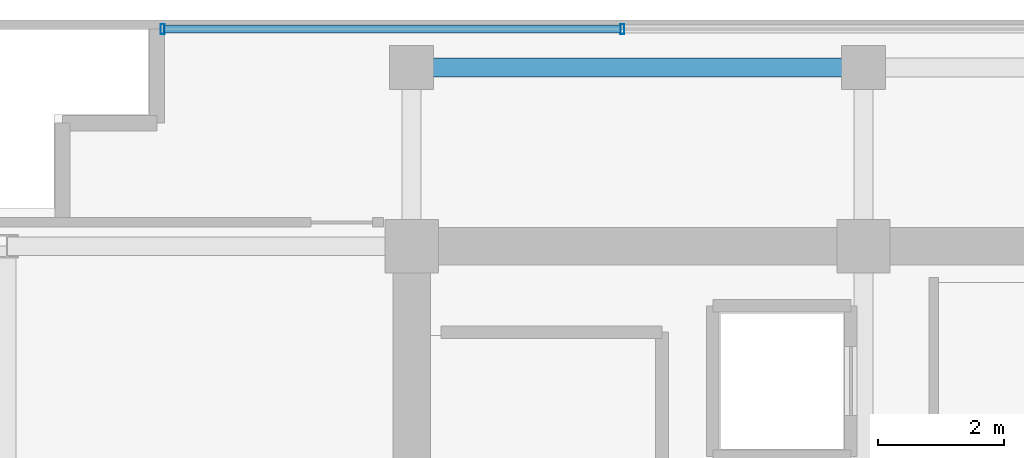
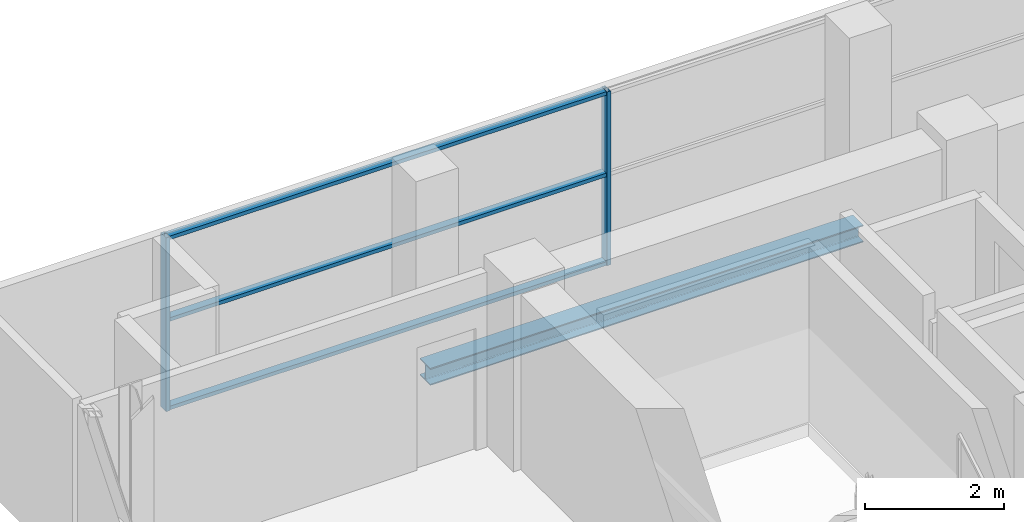
# One storey, part 17 of 29: 5 members, 1 beam, 1 element without a shape of its own.
"""IFC4 building model written with IfcOpenShell, lengths in metres."""

from ifc_helpers import new_model, si_unit, direction, frame, origin, origin_2d, place, context, subcontext, project, spatial, hollow_rectangle, i_section, extrude, source, transform, mapped, material, layer, layer_set, material_profile, profile_set, type_object, element, aggregate, save


model = new_model("IFC4")

# Units and contexts
model_context = context("Model", 3, precision=1e-05, world=origin(), true_north=direction((0.0, 1.0)))
body_context = subcontext(model_context, "Body", "Model", "MODEL_VIEW")
ifc_project = project(units=[si_unit("LENGTHUNIT", "METRE"), si_unit("AREAUNIT", "SQUARE_METRE"), si_unit("VOLUMEUNIT", "CUBIC_METRE"), si_unit("PLANEANGLEUNIT", "RADIAN"), si_unit("MASSUNIT", "GRAM", prefix="KILO")], contexts=[model_context])

# Site, building, storey
site_placement = place(None, origin())
site = spatial("IfcSite", under=ifc_project, at=site_placement, CompositionType="ELEMENT")
building_placement = place(site_placement, origin())
building = spatial("IfcBuilding", under=site, at=building_placement, Name="Zarnakvel Exchange Tower", CompositionType="ELEMENT")
storey_placement = place(building_placement, frame((0.0, 0.0, 265.0)))
storey = spatial("IfcBuildingStorey", under=building, at=storey_placement, Name="L75", CompositionType="ELEMENT", Elevation=265.0)

# Beam
ifc_material_1 = material(Name="Steel S355", Category="steel")
ifc_material_profile_1 = material_profile(ifc_material_1, i_section(OverallWidth=0.300048828125, OverallDepth=0.300048828125, WebThickness=0.010986328125, FlangeThickness=0.01904296875, FilletRadius=0.027099609375, at=origin_2d()))
ifc_profile_set_1 = profile_set([ifc_material_profile_1], Name="Steel S355")
beam_type = type_object("IfcBeamType", Name="SP-03", PredefinedType="SPANDREL", material=ifc_profile_set_1)
beam_placement = place(storey_placement, frame((-14.39990234375, 16.35009765625, -0.375), z_axis=(1.0, 0.0, 0.0), x_axis=(0.0, 1.0, 0.0)))
element("IfcBeam", 1, at=beam_placement, inside=storey, type_object=beam_type, Name="L75 Tower E-W Frame Beam", PredefinedType="SPANDREL", context=body_context, shape_type="SweptSolid", body=[
    extrude(i_section(OverallWidth=0.300048828125, OverallDepth=0.300048828125, WebThickness=0.010986328125, FlangeThickness=0.01904296875, FilletRadius=0.027099609375, at=origin_2d()), origin(), (0.0, 0.0, 1.0), 7.199951171875),
])

# Curtain wall, members
ifc_material_2 = material(Name="Architectural Bronze Anodised Aluminium", Category="aluminium")
ifc_layer = layer(ifc_material_2, 0.159912109375)
ifc_layer_set = layer_set([ifc_layer], Name="Architectural Bronze Anodised Aluminium")
curtain_wall_type = type_object("IfcCurtainWallType", Name="CW-06", PredefinedType="NOTDEFINED", material=ifc_layer_set)
curtain_wall_placement = place(storey_placement, origin())
curtain_wall = element("IfcCurtainWall", 2, at=curtain_wall_placement, inside=storey, type_object=curtain_wall_type, Name="L75 Curtain Wall CW-L75-N1 (CW-06)", PredefinedType="NOTDEFINED")
ifc_material_profile_2 = material_profile(ifc_material_2, hollow_rectangle(XDim=0.1298828125, YDim=0.06494140625, WallThickness=0.00390625, at=origin_2d()))
ifc_profile_set_2 = profile_set([ifc_material_profile_2], Name="Architectural Bronze Anodised Aluminium")
member_type_1 = type_object("IfcMemberType", Name="CWT-06", PredefinedType="USERDEFINED", material=ifc_profile_set_2)
shared_shape_1 = source(origin(), body_context, "Body", "SweptSolid", [
    extrude(hollow_rectangle(XDim=0.1298828125, YDim=0.06494140625, WallThickness=0.00390625, at=origin_2d()), origin(), (0.0, 0.0, 1.0), 7.262451171875),
])
member_1_placement = place(storey_placement, frame((-18.3349609375, 16.9599609375, 0.032470703125), z_axis=(1.0, 0.0, 0.0), x_axis=(0.0, 1.0, 0.0)))
member_1 = element("IfcMember", 3, at=member_1_placement, type_object=member_type_1, Name="CW-06 transom 1.1", ObjectType="TRANSOM", PredefinedType="USERDEFINED", context=body_context, shape_type="MappedRepresentation", body=[
    mapped(shared_shape_1, transform((0.0, 0.0, 0.0), x_axis=(1.0, 0.0, 0.0), y_axis=(0.0, 1.0, 0.0), z_axis=(0.0, 0.0, 1.0), scale=1.0)),
])
member_2_placement = place(storey_placement, frame((-18.3349609375, 16.9599609375, 1.588623046875), z_axis=(1.0, 0.0, 0.0), x_axis=(0.0, 1.0, 0.0)))
member_2 = element("IfcMember", 4, at=member_2_placement, type_object=member_type_1, Name="CW-06 transom 1.2", ObjectType="TRANSOM", PredefinedType="USERDEFINED", context=body_context, shape_type="MappedRepresentation", body=[
    mapped(shared_shape_1, transform((0.0, 0.0, 0.0), x_axis=(1.0, 0.0, 0.0), y_axis=(0.0, 1.0, 0.0), z_axis=(0.0, 0.0, 1.0), scale=1.0)),
])
member_3_placement = place(storey_placement, frame((-18.3349609375, 16.9599609375, 3.0224609375), z_axis=(1.0, 0.0, 0.0), x_axis=(0.0, 1.0, 0.0)))
member_3 = element("IfcMember", 5, at=member_3_placement, type_object=member_type_1, Name="CW-06 transom 1.3", ObjectType="TRANSOM", PredefinedType="USERDEFINED", context=body_context, shape_type="MappedRepresentation", body=[
    mapped(shared_shape_1, transform((0.0, 0.0, 0.0), x_axis=(1.0, 0.0, 0.0), y_axis=(0.0, 1.0, 0.0), z_axis=(0.0, 0.0, 1.0), scale=1.0)),
])
ifc_material_profile_3 = material_profile(ifc_material_2, hollow_rectangle(XDim=0.159912109375, YDim=0.06494140625, WallThickness=0.00390625, at=origin_2d()))
ifc_profile_set_3 = profile_set([ifc_material_profile_3], Name="Architectural Bronze Anodised Aluminium")
member_type_2 = type_object("IfcMemberType", Name="CWM-06", PredefinedType="MULLION", material=ifc_profile_set_3)
shared_shape_2 = source(origin(), body_context, "Body", "SweptSolid", [
    extrude(hollow_rectangle(XDim=0.159912109375, YDim=0.06494140625, WallThickness=0.00390625, at=origin_2d()), origin(), (0.0, 0.0, 1.0), 3.054931640625),
])
member_4_placement = place(storey_placement, frame((-18.367431640625, 16.9599609375, 0.0), z_axis=(0.0, 0.0, 1.0), x_axis=(0.0, 1.0, 0.0)))
member_4 = element("IfcMember", 6, at=member_4_placement, type_object=member_type_2, Name="CW-06 mullion 1", PredefinedType="MULLION", context=body_context, shape_type="MappedRepresentation", body=[
    mapped(shared_shape_2, transform((0.0, 0.0, 0.0), x_axis=(1.0, 0.0, 0.0), y_axis=(0.0, 1.0, 0.0), z_axis=(0.0, 0.0, 1.0), scale=1.0)),
])
member_5_placement = place(storey_placement, frame((-11.0400390625, 16.9599609375, 0.0), z_axis=(0.0, 0.0, 1.0), x_axis=(0.0, 1.0, 0.0)))
member_5 = element("IfcMember", 7, at=member_5_placement, type_object=member_type_2, Name="CW-06 mullion 2", PredefinedType="MULLION", context=body_context, shape_type="MappedRepresentation", body=[
    mapped(shared_shape_2, transform((0.0, 0.0, 0.0), x_axis=(1.0, 0.0, 0.0), y_axis=(0.0, 1.0, 0.0), z_axis=(0.0, 0.0, 1.0), scale=1.0)),
])
aggregate(curtain_wall, [member_4, member_5, member_1, member_2, member_3])

save(model, "model.ifc")
